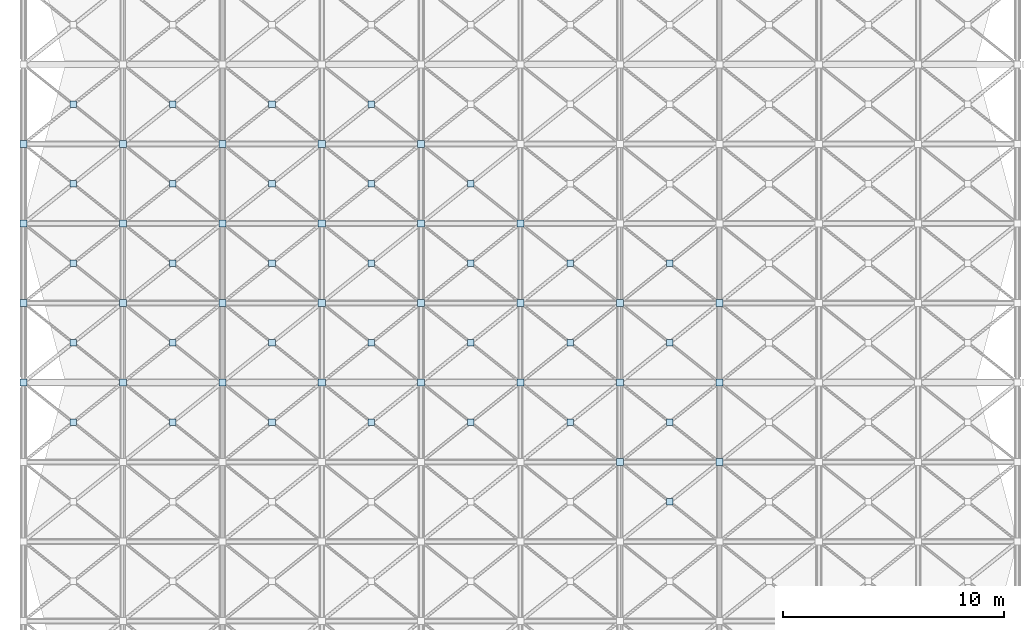
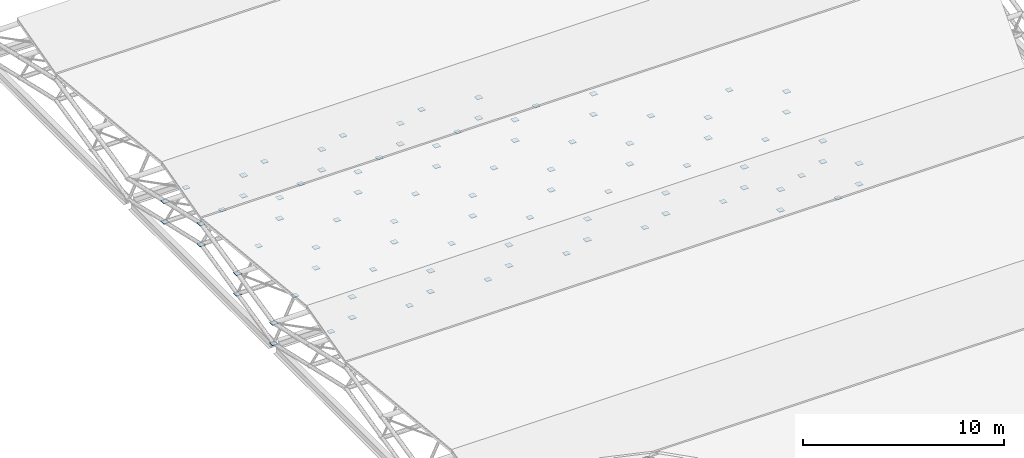
# One storey, part 77 of 110: 89 plates.
"""IFC4 building model written with IfcOpenShell, lengths in metres."""

from ifc_helpers import new_model, si_unit, direction, frame, origin, origin_2d, place, context, subcontext, project, spatial, rectangle, extrude, material, layer, layer_set, type_object, element, save


model = new_model("IFC4")

# Units and contexts
model_context = context("Model", 3, precision=1e-05, world=origin(), true_north=direction((0.0, 1.0)))
body_context = subcontext(model_context, "Body", "Model", "MODEL_VIEW")
ifc_project = project(units=[si_unit("LENGTHUNIT", "METRE"), si_unit("AREAUNIT", "SQUARE_METRE"), si_unit("VOLUMEUNIT", "CUBIC_METRE"), si_unit("PLANEANGLEUNIT", "RADIAN"), si_unit("MASSUNIT", "GRAM", prefix="KILO")], contexts=[model_context])

# Site, building, storey
site_placement = place(None, origin())
site = spatial("IfcSite", under=ifc_project, at=site_placement, CompositionType="ELEMENT")
building_placement = place(site_placement, origin())
building = spatial("IfcBuilding", under=site, at=building_placement, Name="Tamarisk Ironworks Central Station", CompositionType="ELEMENT")
storey_placement = place(building_placement, frame((0.0, 0.0, 17.39990234375)))
storey = spatial("IfcBuildingStorey", under=building, at=storey_placement, Name="L03", CompositionType="ELEMENT", Elevation=17.39990234375)

# Plates
ifc_material = material(Name="Structural steel S355J2H", Category="steel")
ifc_layer = layer(ifc_material, 0.02587890625)
ifc_layer_set = layer_set([ifc_layer], Name="Structural steel S355J2H")
plate_type = type_object("IfcPlateType", Name="PL-ND26", PredefinedType="SHEET", material=ifc_layer_set)
plate_1_placement = place(storey_placement, frame((2.25, 48.60009765625, -0.6953125), z_axis=(0.0, 0.0, 1.0), x_axis=(1.0, 0.0, 0.0)))
element("IfcPlate", 1, at=plate_1_placement, inside=storey, type_object=plate_type, Name="Space-frame X-brace crossing gusset plate 0139", PredefinedType="SHEET", context=body_context, shape_type="SweptSolid", body=[
    extrude(rectangle(XDim=0.300048828125, YDim=0.300048828125, at=origin_2d()), origin(), (0.0, 0.0, 1.0), 0.02587890625),
])
for number, where, z_axis, x_axis, name in (
    (2, (0.0, 50.39990234375, -0.48291015625), (0.0, 0.0, 1.0), (1.0, 0.0, 0.0), "Space-frame collector node plate 0142"),
    (3, (4.5, 50.39990234375, -0.48291015625), (0.0, 0.0, 1.0), (1.0, 0.0, 0.0), "Space-frame collector node plate 0143"),
):
    element("IfcPlate", number, at=place(storey_placement, frame(where, z_axis=z_axis, x_axis=x_axis)), inside=storey, type_object=plate_type, Name=name, PredefinedType="SHEET", context=body_context, shape_type="SweptSolid", body=[
        extrude(rectangle(XDim=0.320068359375, YDim=0.320068359375, at=origin_2d()), origin(), (0.0, 0.0, 1.0), 0.02587890625),
    ])
plate_2_placement = place(storey_placement, frame((6.75, 48.60009765625, -0.6953125), z_axis=(0.0, 0.0, 1.0), x_axis=(1.0, 0.0, 0.0)))
element("IfcPlate", 4, at=plate_2_placement, inside=storey, type_object=plate_type, Name="Space-frame X-brace crossing gusset plate 0153", PredefinedType="SHEET", context=body_context, shape_type="SweptSolid", body=[
    extrude(rectangle(XDim=0.300048828125, YDim=0.300048828125, at=origin_2d()), origin(), (0.0, 0.0, 1.0), 0.02587890625),
])
plate_3_placement = place(storey_placement, frame((9.0, 50.39990234375, -0.48291015625), z_axis=(0.0, 0.0, 1.0), x_axis=(1.0, 0.0, 0.0)))
element("IfcPlate", 5, at=plate_3_placement, inside=storey, type_object=plate_type, Name="Space-frame collector node plate 0155", PredefinedType="SHEET", context=body_context, shape_type="SweptSolid", body=[
    extrude(rectangle(XDim=0.320068359375, YDim=0.320068359375, at=origin_2d()), origin(), (0.0, 0.0, 1.0), 0.02587890625),
])
plate_4_placement = place(storey_placement, frame((11.25, 48.60009765625, -0.6953125), z_axis=(0.0, 0.0, 1.0), x_axis=(1.0, 0.0, 0.0)))
element("IfcPlate", 6, at=plate_4_placement, inside=storey, type_object=plate_type, Name="Space-frame X-brace crossing gusset plate 0165", PredefinedType="SHEET", context=body_context, shape_type="SweptSolid", body=[
    extrude(rectangle(XDim=0.300048828125, YDim=0.300048828125, at=origin_2d()), origin(), (0.0, 0.0, 1.0), 0.02587890625),
])
plate_5_placement = place(storey_placement, frame((13.5, 50.39990234375, -0.48291015625), z_axis=(0.0, 0.0, 1.0), x_axis=(1.0, 0.0, 0.0)))
element("IfcPlate", 7, at=plate_5_placement, inside=storey, type_object=plate_type, Name="Space-frame collector node plate 0167", PredefinedType="SHEET", context=body_context, shape_type="SweptSolid", body=[
    extrude(rectangle(XDim=0.320068359375, YDim=0.320068359375, at=origin_2d()), origin(), (0.0, 0.0, 1.0), 0.02587890625),
])
plate_6_placement = place(storey_placement, frame((15.75, 48.60009765625, -0.6953125), z_axis=(0.0, 0.0, 1.0), x_axis=(1.0, 0.0, 0.0)))
element("IfcPlate", 8, at=plate_6_placement, inside=storey, type_object=plate_type, Name="Space-frame X-brace crossing gusset plate 0177", PredefinedType="SHEET", context=body_context, shape_type="SweptSolid", body=[
    extrude(rectangle(XDim=0.300048828125, YDim=0.300048828125, at=origin_2d()), origin(), (0.0, 0.0, 1.0), 0.02587890625),
])
plate_7_placement = place(storey_placement, frame((18.0, 50.39990234375, -0.48291015625), z_axis=(0.0, 0.0, 1.0), x_axis=(1.0, 0.0, 0.0)))
element("IfcPlate", 9, at=plate_7_placement, inside=storey, type_object=plate_type, Name="Space-frame collector node plate 0179", PredefinedType="SHEET", context=body_context, shape_type="SweptSolid", body=[
    extrude(rectangle(XDim=0.320068359375, YDim=0.320068359375, at=origin_2d()), origin(), (0.0, 0.0, 1.0), 0.02587890625),
])
plate_8_placement = place(storey_placement, frame((20.25, 48.60009765625, -0.6953125), z_axis=(0.0, 0.0, 1.0), x_axis=(1.0, 0.0, 0.0)))
element("IfcPlate", 10, at=plate_8_placement, inside=storey, type_object=plate_type, Name="Space-frame X-brace crossing gusset plate 0189", PredefinedType="SHEET", context=body_context, shape_type="SweptSolid", body=[
    extrude(rectangle(XDim=0.300048828125, YDim=0.300048828125, at=origin_2d()), origin(), (0.0, 0.0, 1.0), 0.02587890625),
])
for number, where, z_axis, x_axis, name in (
    (11, (22.5, 50.39990234375, -0.48291015625), (0.0, 0.0, 1.0), (1.0, 0.0, 0.0), "Space-frame collector node plate 0191"),
    (12, (27.0, 46.800048828125, 0.342041015625), (0.0, 0.0, 1.0), (1.0, 0.0, 0.0), "Space-frame collector node plate 0200"),
):
    element("IfcPlate", number, at=place(storey_placement, frame(where, z_axis=z_axis, x_axis=x_axis)), inside=storey, type_object=plate_type, Name=name, PredefinedType="SHEET", context=body_context, shape_type="SweptSolid", body=[
        extrude(rectangle(XDim=0.320068359375, YDim=0.320068359375, at=origin_2d()), origin(), (0.0, 0.0, 1.0), 0.02587890625),
    ])
plate_9_placement = place(storey_placement, frame((24.75, 48.60009765625, -0.6953125), z_axis=(0.0, 0.0, 1.0), x_axis=(1.0, 0.0, 0.0)))
element("IfcPlate", 13, at=plate_9_placement, inside=storey, type_object=plate_type, Name="Space-frame X-brace crossing gusset plate 0201", PredefinedType="SHEET", context=body_context, shape_type="SweptSolid", body=[
    extrude(rectangle(XDim=0.300048828125, YDim=0.300048828125, at=origin_2d()), origin(), (0.0, 0.0, 1.0), 0.02587890625),
])
for number, where, z_axis, x_axis, name in (
    (14, (27.0, 46.800048828125, -0.907958984375), (0.0, 0.0, 1.0), (1.0, 0.0, 0.0), "Space-frame collector node plate 0202"),
    (15, (27.0, 50.39990234375, -0.48291015625), (0.0, 0.0, 1.0), (1.0, 0.0, 0.0), "Space-frame collector node plate 0203"),
):
    element("IfcPlate", number, at=place(storey_placement, frame(where, z_axis=z_axis, x_axis=x_axis)), inside=storey, type_object=plate_type, Name=name, PredefinedType="SHEET", context=body_context, shape_type="SweptSolid", body=[
        extrude(rectangle(XDim=0.320068359375, YDim=0.320068359375, at=origin_2d()), origin(), (0.0, 0.0, 1.0), 0.02587890625),
    ])
plate_10_placement = place(storey_placement, frame((29.25, 45.0, 0.129638671875), z_axis=(0.0, 0.0, 1.0), x_axis=(1.0, 0.0, 0.0)))
element("IfcPlate", 16, at=plate_10_placement, inside=storey, type_object=plate_type, Name="Space-frame X-brace crossing gusset plate 0210", PredefinedType="SHEET", context=body_context, shape_type="SweptSolid", body=[
    extrude(rectangle(XDim=0.300048828125, YDim=0.300048828125, at=origin_2d()), origin(), (0.0, 0.0, 1.0), 0.02587890625),
])
plate_11_placement = place(storey_placement, frame((31.5, 46.800048828125, 0.342041015625), z_axis=(0.0, 0.0, 1.0), x_axis=(1.0, 0.0, 0.0)))
element("IfcPlate", 17, at=plate_11_placement, inside=storey, type_object=plate_type, Name="Space-frame collector node plate 0212", PredefinedType="SHEET", context=body_context, shape_type="SweptSolid", body=[
    extrude(rectangle(XDim=0.320068359375, YDim=0.320068359375, at=origin_2d()), origin(), (0.0, 0.0, 1.0), 0.02587890625),
])
plate_12_placement = place(storey_placement, frame((29.25, 48.60009765625, -0.6953125), z_axis=(0.0, 0.0, 1.0), x_axis=(1.0, 0.0, 0.0)))
element("IfcPlate", 18, at=plate_12_placement, inside=storey, type_object=plate_type, Name="Space-frame X-brace crossing gusset plate 0213", PredefinedType="SHEET", context=body_context, shape_type="SweptSolid", body=[
    extrude(rectangle(XDim=0.300048828125, YDim=0.300048828125, at=origin_2d()), origin(), (0.0, 0.0, 1.0), 0.02587890625),
])
for number, where, z_axis, x_axis, name in (
    (19, (31.5, 46.800048828125, -0.907958984375), (0.0, 0.0, 1.0), (1.0, 0.0, 0.0), "Space-frame collector node plate 0214"),
    (20, (31.5, 50.39990234375, -0.48291015625), (0.0, 0.0, 1.0), (1.0, 0.0, 0.0), "Space-frame collector node plate 0215"),
):
    element("IfcPlate", number, at=place(storey_placement, frame(where, z_axis=z_axis, x_axis=x_axis)), inside=storey, type_object=plate_type, Name=name, PredefinedType="SHEET", context=body_context, shape_type="SweptSolid", body=[
        extrude(rectangle(XDim=0.320068359375, YDim=0.320068359375, at=origin_2d()), origin(), (0.0, 0.0, 1.0), 0.02587890625),
    ])
plate_13_placement = place(storey_placement, frame((2.25, 52.199951171875, -0.6953125), z_axis=(0.0, 0.0, 1.0), x_axis=(1.0, 0.0, 0.0)))
element("IfcPlate", 21, at=plate_13_placement, inside=storey, type_object=plate_type, Name="Space-frame X-brace crossing gusset plate 0252", PredefinedType="SHEET", context=body_context, shape_type="SweptSolid", body=[
    extrude(rectangle(XDim=0.300048828125, YDim=0.300048828125, at=origin_2d()), origin(), (0.0, 0.0, 1.0), 0.02587890625),
])
for number, where, z_axis, x_axis, name in (
    (22, (0.0, 50.39990234375, -1.73291015625), (0.0, 0.0, 1.0), (1.0, 0.0, 0.0), "Space-frame collector node plate 0253"),
    (23, (4.5, 50.39990234375, -1.73291015625), (0.0, 0.0, 1.0), (1.0, 0.0, 0.0), "Space-frame collector node plate 0254"),
    (24, (0.0, 54.0, 0.342041015625), (0.0, 0.0, 1.0), (1.0, 0.0, 0.0), "Space-frame collector node plate 0255"),
    (25, (4.5, 54.0, 0.342041015625), (0.0, 0.0, 1.0), (1.0, 0.0, 0.0), "Space-frame collector node plate 0256"),
):
    element("IfcPlate", number, at=place(storey_placement, frame(where, z_axis=z_axis, x_axis=x_axis)), inside=storey, type_object=plate_type, Name=name, PredefinedType="SHEET", context=body_context, shape_type="SweptSolid", body=[
        extrude(rectangle(XDim=0.320068359375, YDim=0.320068359375, at=origin_2d()), origin(), (0.0, 0.0, 1.0), 0.02587890625),
    ])
plate_14_placement = place(storey_placement, frame((2.25, 55.800048828125, 0.129638671875), z_axis=(0.0, 0.0, 1.0), x_axis=(1.0, 0.0, 0.0)))
element("IfcPlate", 26, at=plate_14_placement, inside=storey, type_object=plate_type, Name="Space-frame X-brace crossing gusset plate 0257", PredefinedType="SHEET", context=body_context, shape_type="SweptSolid", body=[
    extrude(rectangle(XDim=0.300048828125, YDim=0.300048828125, at=origin_2d()), origin(), (0.0, 0.0, 1.0), 0.02587890625),
])
for number, where, z_axis, x_axis, name in (
    (27, (0.0, 54.0, -0.907958984375), (0.0, 0.0, 1.0), (1.0, 0.0, 0.0), "Space-frame collector node plate 0258"),
    (28, (4.5, 54.0, -0.907958984375), (0.0, 0.0, 1.0), (1.0, 0.0, 0.0), "Space-frame collector node plate 0259"),
    (29, (0.0, 57.60009765625, 1.167236328125), (0.0, 0.0, 1.0), (1.0, 0.0, 0.0), "Space-frame collector node plate 0260"),
    (30, (4.5, 57.60009765625, 1.167236328125), (0.0, 0.0, 1.0), (1.0, 0.0, 0.0), "Space-frame collector node plate 0261"),
):
    element("IfcPlate", number, at=place(storey_placement, frame(where, z_axis=z_axis, x_axis=x_axis)), inside=storey, type_object=plate_type, Name=name, PredefinedType="SHEET", context=body_context, shape_type="SweptSolid", body=[
        extrude(rectangle(XDim=0.320068359375, YDim=0.320068359375, at=origin_2d()), origin(), (0.0, 0.0, 1.0), 0.02587890625),
    ])
plate_15_placement = place(storey_placement, frame((2.25, 59.39990234375, 0.129638671875), z_axis=(0.0, 0.0, 1.0), x_axis=(1.0, 0.0, 0.0)))
element("IfcPlate", 31, at=plate_15_placement, inside=storey, type_object=plate_type, Name="Space-frame X-brace crossing gusset plate 0262", PredefinedType="SHEET", context=body_context, shape_type="SweptSolid", body=[
    extrude(rectangle(XDim=0.300048828125, YDim=0.300048828125, at=origin_2d()), origin(), (0.0, 0.0, 1.0), 0.02587890625),
])
for number, where, z_axis, x_axis, name in (
    (32, (0.0, 57.60009765625, -0.082763671875), (0.0, 0.0, 1.0), (1.0, 0.0, 0.0), "Space-frame collector node plate 0263"),
    (33, (4.5, 57.60009765625, -0.082763671875), (0.0, 0.0, 1.0), (1.0, 0.0, 0.0), "Space-frame collector node plate 0264"),
    (34, (0.0, 61.199951171875, 0.342041015625), (0.0, 0.0, 1.0), (1.0, 0.0, 0.0), "Space-frame collector node plate 0265"),
    (35, (4.5, 61.199951171875, 0.342041015625), (0.0, 0.0, 1.0), (1.0, 0.0, 0.0), "Space-frame collector node plate 0266"),
):
    element("IfcPlate", number, at=place(storey_placement, frame(where, z_axis=z_axis, x_axis=x_axis)), inside=storey, type_object=plate_type, Name=name, PredefinedType="SHEET", context=body_context, shape_type="SweptSolid", body=[
        extrude(rectangle(XDim=0.320068359375, YDim=0.320068359375, at=origin_2d()), origin(), (0.0, 0.0, 1.0), 0.02587890625),
    ])
plate_16_placement = place(storey_placement, frame((2.25, 63.0, -0.6953125), z_axis=(0.0, 0.0, 1.0), x_axis=(1.0, 0.0, 0.0)))
element("IfcPlate", 36, at=plate_16_placement, inside=storey, type_object=plate_type, Name="Space-frame X-brace crossing gusset plate 0267", PredefinedType="SHEET", context=body_context, shape_type="SweptSolid", body=[
    extrude(rectangle(XDim=0.300048828125, YDim=0.300048828125, at=origin_2d()), origin(), (0.0, 0.0, 1.0), 0.02587890625),
])
for number, where, z_axis, x_axis, name in (
    (37, (0.0, 61.199951171875, -0.907958984375), (0.0, 0.0, 1.0), (1.0, 0.0, 0.0), "Space-frame collector node plate 0268"),
    (38, (4.5, 61.199951171875, -0.907958984375), (0.0, 0.0, 1.0), (1.0, 0.0, 0.0), "Space-frame collector node plate 0269"),
):
    element("IfcPlate", number, at=place(storey_placement, frame(where, z_axis=z_axis, x_axis=x_axis)), inside=storey, type_object=plate_type, Name=name, PredefinedType="SHEET", context=body_context, shape_type="SweptSolid", body=[
        extrude(rectangle(XDim=0.320068359375, YDim=0.320068359375, at=origin_2d()), origin(), (0.0, 0.0, 1.0), 0.02587890625),
    ])
plate_17_placement = place(storey_placement, frame((6.75, 52.199951171875, -0.6953125), z_axis=(0.0, 0.0, 1.0), x_axis=(1.0, 0.0, 0.0)))
element("IfcPlate", 39, at=plate_17_placement, inside=storey, type_object=plate_type, Name="Space-frame X-brace crossing gusset plate 0272", PredefinedType="SHEET", context=body_context, shape_type="SweptSolid", body=[
    extrude(rectangle(XDim=0.300048828125, YDim=0.300048828125, at=origin_2d()), origin(), (0.0, 0.0, 1.0), 0.02587890625),
])
for number, where, z_axis, x_axis, name in (
    (40, (9.0, 50.39990234375, -1.73291015625), (0.0, 0.0, 1.0), (1.0, 0.0, 0.0), "Space-frame collector node plate 0273"),
    (41, (9.0, 54.0, 0.342041015625), (0.0, 0.0, 1.0), (1.0, 0.0, 0.0), "Space-frame collector node plate 0274"),
):
    element("IfcPlate", number, at=place(storey_placement, frame(where, z_axis=z_axis, x_axis=x_axis)), inside=storey, type_object=plate_type, Name=name, PredefinedType="SHEET", context=body_context, shape_type="SweptSolid", body=[
        extrude(rectangle(XDim=0.320068359375, YDim=0.320068359375, at=origin_2d()), origin(), (0.0, 0.0, 1.0), 0.02587890625),
    ])
plate_18_placement = place(storey_placement, frame((6.75, 55.800048828125, 0.129638671875), z_axis=(0.0, 0.0, 1.0), x_axis=(1.0, 0.0, 0.0)))
element("IfcPlate", 42, at=plate_18_placement, inside=storey, type_object=plate_type, Name="Space-frame X-brace crossing gusset plate 0275", PredefinedType="SHEET", context=body_context, shape_type="SweptSolid", body=[
    extrude(rectangle(XDim=0.300048828125, YDim=0.300048828125, at=origin_2d()), origin(), (0.0, 0.0, 1.0), 0.02587890625),
])
for number, where, z_axis, x_axis, name in (
    (43, (9.0, 54.0, -0.907958984375), (0.0, 0.0, 1.0), (1.0, 0.0, 0.0), "Space-frame collector node plate 0276"),
    (44, (9.0, 57.60009765625, 1.167236328125), (0.0, 0.0, 1.0), (1.0, 0.0, 0.0), "Space-frame collector node plate 0277"),
):
    element("IfcPlate", number, at=place(storey_placement, frame(where, z_axis=z_axis, x_axis=x_axis)), inside=storey, type_object=plate_type, Name=name, PredefinedType="SHEET", context=body_context, shape_type="SweptSolid", body=[
        extrude(rectangle(XDim=0.320068359375, YDim=0.320068359375, at=origin_2d()), origin(), (0.0, 0.0, 1.0), 0.02587890625),
    ])
plate_19_placement = place(storey_placement, frame((6.75, 59.39990234375, 0.129638671875), z_axis=(0.0, 0.0, 1.0), x_axis=(1.0, 0.0, 0.0)))
element("IfcPlate", 45, at=plate_19_placement, inside=storey, type_object=plate_type, Name="Space-frame X-brace crossing gusset plate 0278", PredefinedType="SHEET", context=body_context, shape_type="SweptSolid", body=[
    extrude(rectangle(XDim=0.300048828125, YDim=0.300048828125, at=origin_2d()), origin(), (0.0, 0.0, 1.0), 0.02587890625),
])
for number, where, z_axis, x_axis, name in (
    (46, (9.0, 57.60009765625, -0.082763671875), (0.0, 0.0, 1.0), (1.0, 0.0, 0.0), "Space-frame collector node plate 0279"),
    (47, (9.0, 61.199951171875, 0.342041015625), (0.0, 0.0, 1.0), (1.0, 0.0, 0.0), "Space-frame collector node plate 0280"),
):
    element("IfcPlate", number, at=place(storey_placement, frame(where, z_axis=z_axis, x_axis=x_axis)), inside=storey, type_object=plate_type, Name=name, PredefinedType="SHEET", context=body_context, shape_type="SweptSolid", body=[
        extrude(rectangle(XDim=0.320068359375, YDim=0.320068359375, at=origin_2d()), origin(), (0.0, 0.0, 1.0), 0.02587890625),
    ])
plate_20_placement = place(storey_placement, frame((6.75, 63.0, -0.6953125), z_axis=(0.0, 0.0, 1.0), x_axis=(1.0, 0.0, 0.0)))
element("IfcPlate", 48, at=plate_20_placement, inside=storey, type_object=plate_type, Name="Space-frame X-brace crossing gusset plate 0281", PredefinedType="SHEET", context=body_context, shape_type="SweptSolid", body=[
    extrude(rectangle(XDim=0.300048828125, YDim=0.300048828125, at=origin_2d()), origin(), (0.0, 0.0, 1.0), 0.02587890625),
])
plate_21_placement = place(storey_placement, frame((9.0, 61.199951171875, -0.907958984375), z_axis=(0.0, 0.0, 1.0), x_axis=(1.0, 0.0, 0.0)))
element("IfcPlate", 49, at=plate_21_placement, inside=storey, type_object=plate_type, Name="Space-frame collector node plate 0282", PredefinedType="SHEET", context=body_context, shape_type="SweptSolid", body=[
    extrude(rectangle(XDim=0.320068359375, YDim=0.320068359375, at=origin_2d()), origin(), (0.0, 0.0, 1.0), 0.02587890625),
])
plate_22_placement = place(storey_placement, frame((11.25, 52.199951171875, -0.6953125), z_axis=(0.0, 0.0, 1.0), x_axis=(1.0, 0.0, 0.0)))
element("IfcPlate", 50, at=plate_22_placement, inside=storey, type_object=plate_type, Name="Space-frame X-brace crossing gusset plate 0284", PredefinedType="SHEET", context=body_context, shape_type="SweptSolid", body=[
    extrude(rectangle(XDim=0.300048828125, YDim=0.300048828125, at=origin_2d()), origin(), (0.0, 0.0, 1.0), 0.02587890625),
])
for number, where, z_axis, x_axis, name in (
    (51, (13.5, 50.39990234375, -1.73291015625), (0.0, 0.0, 1.0), (1.0, 0.0, 0.0), "Space-frame collector node plate 0285"),
    (52, (13.5, 54.0, 0.342041015625), (0.0, 0.0, 1.0), (1.0, 0.0, 0.0), "Space-frame collector node plate 0286"),
):
    element("IfcPlate", number, at=place(storey_placement, frame(where, z_axis=z_axis, x_axis=x_axis)), inside=storey, type_object=plate_type, Name=name, PredefinedType="SHEET", context=body_context, shape_type="SweptSolid", body=[
        extrude(rectangle(XDim=0.320068359375, YDim=0.320068359375, at=origin_2d()), origin(), (0.0, 0.0, 1.0), 0.02587890625),
    ])
plate_23_placement = place(storey_placement, frame((11.25, 55.800048828125, 0.129638671875), z_axis=(0.0, 0.0, 1.0), x_axis=(1.0, 0.0, 0.0)))
element("IfcPlate", 53, at=plate_23_placement, inside=storey, type_object=plate_type, Name="Space-frame X-brace crossing gusset plate 0287", PredefinedType="SHEET", context=body_context, shape_type="SweptSolid", body=[
    extrude(rectangle(XDim=0.300048828125, YDim=0.300048828125, at=origin_2d()), origin(), (0.0, 0.0, 1.0), 0.02587890625),
])
for number, where, z_axis, x_axis, name in (
    (54, (13.5, 54.0, -0.907958984375), (0.0, 0.0, 1.0), (1.0, 0.0, 0.0), "Space-frame collector node plate 0288"),
    (55, (13.5, 57.60009765625, 1.167236328125), (0.0, 0.0, 1.0), (1.0, 0.0, 0.0), "Space-frame collector node plate 0289"),
):
    element("IfcPlate", number, at=place(storey_placement, frame(where, z_axis=z_axis, x_axis=x_axis)), inside=storey, type_object=plate_type, Name=name, PredefinedType="SHEET", context=body_context, shape_type="SweptSolid", body=[
        extrude(rectangle(XDim=0.320068359375, YDim=0.320068359375, at=origin_2d()), origin(), (0.0, 0.0, 1.0), 0.02587890625),
    ])
plate_24_placement = place(storey_placement, frame((11.25, 59.39990234375, 0.129638671875), z_axis=(0.0, 0.0, 1.0), x_axis=(1.0, 0.0, 0.0)))
element("IfcPlate", 56, at=plate_24_placement, inside=storey, type_object=plate_type, Name="Space-frame X-brace crossing gusset plate 0290", PredefinedType="SHEET", context=body_context, shape_type="SweptSolid", body=[
    extrude(rectangle(XDim=0.300048828125, YDim=0.300048828125, at=origin_2d()), origin(), (0.0, 0.0, 1.0), 0.02587890625),
])
for number, where, z_axis, x_axis, name in (
    (57, (13.5, 57.60009765625, -0.082763671875), (0.0, 0.0, 1.0), (1.0, 0.0, 0.0), "Space-frame collector node plate 0291"),
    (58, (13.5, 61.199951171875, 0.342041015625), (0.0, 0.0, 1.0), (1.0, 0.0, 0.0), "Space-frame collector node plate 0292"),
):
    element("IfcPlate", number, at=place(storey_placement, frame(where, z_axis=z_axis, x_axis=x_axis)), inside=storey, type_object=plate_type, Name=name, PredefinedType="SHEET", context=body_context, shape_type="SweptSolid", body=[
        extrude(rectangle(XDim=0.320068359375, YDim=0.320068359375, at=origin_2d()), origin(), (0.0, 0.0, 1.0), 0.02587890625),
    ])
plate_25_placement = place(storey_placement, frame((11.25, 63.0, -0.6953125), z_axis=(0.0, 0.0, 1.0), x_axis=(1.0, 0.0, 0.0)))
element("IfcPlate", 59, at=plate_25_placement, inside=storey, type_object=plate_type, Name="Space-frame X-brace crossing gusset plate 0293", PredefinedType="SHEET", context=body_context, shape_type="SweptSolid", body=[
    extrude(rectangle(XDim=0.300048828125, YDim=0.300048828125, at=origin_2d()), origin(), (0.0, 0.0, 1.0), 0.02587890625),
])
plate_26_placement = place(storey_placement, frame((13.5, 61.199951171875, -0.907958984375), z_axis=(0.0, 0.0, 1.0), x_axis=(1.0, 0.0, 0.0)))
element("IfcPlate", 60, at=plate_26_placement, inside=storey, type_object=plate_type, Name="Space-frame collector node plate 0294", PredefinedType="SHEET", context=body_context, shape_type="SweptSolid", body=[
    extrude(rectangle(XDim=0.320068359375, YDim=0.320068359375, at=origin_2d()), origin(), (0.0, 0.0, 1.0), 0.02587890625),
])
plate_27_placement = place(storey_placement, frame((15.75, 52.199951171875, -0.6953125), z_axis=(0.0, 0.0, 1.0), x_axis=(1.0, 0.0, 0.0)))
element("IfcPlate", 61, at=plate_27_placement, inside=storey, type_object=plate_type, Name="Space-frame X-brace crossing gusset plate 0296", PredefinedType="SHEET", context=body_context, shape_type="SweptSolid", body=[
    extrude(rectangle(XDim=0.300048828125, YDim=0.300048828125, at=origin_2d()), origin(), (0.0, 0.0, 1.0), 0.02587890625),
])
for number, where, z_axis, x_axis, name in (
    (62, (18.0, 50.39990234375, -1.73291015625), (0.0, 0.0, 1.0), (1.0, 0.0, 0.0), "Space-frame collector node plate 0297"),
    (63, (18.0, 54.0, 0.342041015625), (0.0, 0.0, 1.0), (1.0, 0.0, 0.0), "Space-frame collector node plate 0298"),
):
    element("IfcPlate", number, at=place(storey_placement, frame(where, z_axis=z_axis, x_axis=x_axis)), inside=storey, type_object=plate_type, Name=name, PredefinedType="SHEET", context=body_context, shape_type="SweptSolid", body=[
        extrude(rectangle(XDim=0.320068359375, YDim=0.320068359375, at=origin_2d()), origin(), (0.0, 0.0, 1.0), 0.02587890625),
    ])
plate_28_placement = place(storey_placement, frame((15.75, 55.800048828125, 0.129638671875), z_axis=(0.0, 0.0, 1.0), x_axis=(1.0, 0.0, 0.0)))
element("IfcPlate", 64, at=plate_28_placement, inside=storey, type_object=plate_type, Name="Space-frame X-brace crossing gusset plate 0299", PredefinedType="SHEET", context=body_context, shape_type="SweptSolid", body=[
    extrude(rectangle(XDim=0.300048828125, YDim=0.300048828125, at=origin_2d()), origin(), (0.0, 0.0, 1.0), 0.02587890625),
])
for number, where, z_axis, x_axis, name in (
    (65, (18.0, 54.0, -0.907958984375), (0.0, 0.0, 1.0), (1.0, 0.0, 0.0), "Space-frame collector node plate 0300"),
    (66, (18.0, 57.60009765625, 1.167236328125), (0.0, 0.0, 1.0), (1.0, 0.0, 0.0), "Space-frame collector node plate 0301"),
):
    element("IfcPlate", number, at=place(storey_placement, frame(where, z_axis=z_axis, x_axis=x_axis)), inside=storey, type_object=plate_type, Name=name, PredefinedType="SHEET", context=body_context, shape_type="SweptSolid", body=[
        extrude(rectangle(XDim=0.320068359375, YDim=0.320068359375, at=origin_2d()), origin(), (0.0, 0.0, 1.0), 0.02587890625),
    ])
plate_29_placement = place(storey_placement, frame((15.75, 59.39990234375, 0.129638671875), z_axis=(0.0, 0.0, 1.0), x_axis=(1.0, 0.0, 0.0)))
element("IfcPlate", 67, at=plate_29_placement, inside=storey, type_object=plate_type, Name="Space-frame X-brace crossing gusset plate 0302", PredefinedType="SHEET", context=body_context, shape_type="SweptSolid", body=[
    extrude(rectangle(XDim=0.300048828125, YDim=0.300048828125, at=origin_2d()), origin(), (0.0, 0.0, 1.0), 0.02587890625),
])
for number, where, z_axis, x_axis, name in (
    (68, (18.0, 57.60009765625, -0.082763671875), (0.0, 0.0, 1.0), (1.0, 0.0, 0.0), "Space-frame collector node plate 0303"),
    (69, (18.0, 61.199951171875, 0.342041015625), (0.0, 0.0, 1.0), (1.0, 0.0, 0.0), "Space-frame collector node plate 0304"),
):
    element("IfcPlate", number, at=place(storey_placement, frame(where, z_axis=z_axis, x_axis=x_axis)), inside=storey, type_object=plate_type, Name=name, PredefinedType="SHEET", context=body_context, shape_type="SweptSolid", body=[
        extrude(rectangle(XDim=0.320068359375, YDim=0.320068359375, at=origin_2d()), origin(), (0.0, 0.0, 1.0), 0.02587890625),
    ])
plate_30_placement = place(storey_placement, frame((15.75, 63.0, -0.6953125), z_axis=(0.0, 0.0, 1.0), x_axis=(1.0, 0.0, 0.0)))
element("IfcPlate", 70, at=plate_30_placement, inside=storey, type_object=plate_type, Name="Space-frame X-brace crossing gusset plate 0305", PredefinedType="SHEET", context=body_context, shape_type="SweptSolid", body=[
    extrude(rectangle(XDim=0.300048828125, YDim=0.300048828125, at=origin_2d()), origin(), (0.0, 0.0, 1.0), 0.02587890625),
])
plate_31_placement = place(storey_placement, frame((18.0, 61.199951171875, -0.907958984375), z_axis=(0.0, 0.0, 1.0), x_axis=(1.0, 0.0, 0.0)))
element("IfcPlate", 71, at=plate_31_placement, inside=storey, type_object=plate_type, Name="Space-frame collector node plate 0306", PredefinedType="SHEET", context=body_context, shape_type="SweptSolid", body=[
    extrude(rectangle(XDim=0.320068359375, YDim=0.320068359375, at=origin_2d()), origin(), (0.0, 0.0, 1.0), 0.02587890625),
])
plate_32_placement = place(storey_placement, frame((20.25, 52.199951171875, -0.6953125), z_axis=(0.0, 0.0, 1.0), x_axis=(1.0, 0.0, 0.0)))
element("IfcPlate", 72, at=plate_32_placement, inside=storey, type_object=plate_type, Name="Space-frame X-brace crossing gusset plate 0308", PredefinedType="SHEET", context=body_context, shape_type="SweptSolid", body=[
    extrude(rectangle(XDim=0.300048828125, YDim=0.300048828125, at=origin_2d()), origin(), (0.0, 0.0, 1.0), 0.02587890625),
])
for number, where, z_axis, x_axis, name in (
    (73, (22.5, 50.39990234375, -1.73291015625), (0.0, 0.0, 1.0), (1.0, 0.0, 0.0), "Space-frame collector node plate 0309"),
    (74, (22.5, 54.0, 0.342041015625), (0.0, 0.0, 1.0), (1.0, 0.0, 0.0), "Space-frame collector node plate 0310"),
):
    element("IfcPlate", number, at=place(storey_placement, frame(where, z_axis=z_axis, x_axis=x_axis)), inside=storey, type_object=plate_type, Name=name, PredefinedType="SHEET", context=body_context, shape_type="SweptSolid", body=[
        extrude(rectangle(XDim=0.320068359375, YDim=0.320068359375, at=origin_2d()), origin(), (0.0, 0.0, 1.0), 0.02587890625),
    ])
plate_33_placement = place(storey_placement, frame((20.25, 55.800048828125, 0.129638671875), z_axis=(0.0, 0.0, 1.0), x_axis=(1.0, 0.0, 0.0)))
element("IfcPlate", 75, at=plate_33_placement, inside=storey, type_object=plate_type, Name="Space-frame X-brace crossing gusset plate 0311", PredefinedType="SHEET", context=body_context, shape_type="SweptSolid", body=[
    extrude(rectangle(XDim=0.300048828125, YDim=0.300048828125, at=origin_2d()), origin(), (0.0, 0.0, 1.0), 0.02587890625),
])
for number, where, z_axis, x_axis, name in (
    (76, (22.5, 54.0, -0.907958984375), (0.0, 0.0, 1.0), (1.0, 0.0, 0.0), "Space-frame collector node plate 0312"),
    (77, (22.5, 57.60009765625, 1.167236328125), (0.0, 0.0, 1.0), (1.0, 0.0, 0.0), "Space-frame collector node plate 0313"),
):
    element("IfcPlate", number, at=place(storey_placement, frame(where, z_axis=z_axis, x_axis=x_axis)), inside=storey, type_object=plate_type, Name=name, PredefinedType="SHEET", context=body_context, shape_type="SweptSolid", body=[
        extrude(rectangle(XDim=0.320068359375, YDim=0.320068359375, at=origin_2d()), origin(), (0.0, 0.0, 1.0), 0.02587890625),
    ])
plate_34_placement = place(storey_placement, frame((20.25, 59.39990234375, 0.129638671875), z_axis=(0.0, 0.0, 1.0), x_axis=(1.0, 0.0, 0.0)))
element("IfcPlate", 78, at=plate_34_placement, inside=storey, type_object=plate_type, Name="Space-frame X-brace crossing gusset plate 0314", PredefinedType="SHEET", context=body_context, shape_type="SweptSolid", body=[
    extrude(rectangle(XDim=0.300048828125, YDim=0.300048828125, at=origin_2d()), origin(), (0.0, 0.0, 1.0), 0.02587890625),
])
plate_35_placement = place(storey_placement, frame((22.5, 57.60009765625, -0.082763671875), z_axis=(0.0, 0.0, 1.0), x_axis=(1.0, 0.0, 0.0)))
element("IfcPlate", 79, at=plate_35_placement, inside=storey, type_object=plate_type, Name="Space-frame collector node plate 0315", PredefinedType="SHEET", context=body_context, shape_type="SweptSolid", body=[
    extrude(rectangle(XDim=0.320068359375, YDim=0.320068359375, at=origin_2d()), origin(), (0.0, 0.0, 1.0), 0.02587890625),
])
plate_36_placement = place(storey_placement, frame((24.75, 52.199951171875, -0.6953125), z_axis=(0.0, 0.0, 1.0), x_axis=(1.0, 0.0, 0.0)))
element("IfcPlate", 80, at=plate_36_placement, inside=storey, type_object=plate_type, Name="Space-frame X-brace crossing gusset plate 0320", PredefinedType="SHEET", context=body_context, shape_type="SweptSolid", body=[
    extrude(rectangle(XDim=0.300048828125, YDim=0.300048828125, at=origin_2d()), origin(), (0.0, 0.0, 1.0), 0.02587890625),
])
for number, where, z_axis, x_axis, name in (
    (81, (27.0, 50.39990234375, -1.73291015625), (0.0, 0.0, 1.0), (1.0, 0.0, 0.0), "Space-frame collector node plate 0321"),
    (82, (27.0, 54.0, 0.342041015625), (0.0, 0.0, 1.0), (1.0, 0.0, 0.0), "Space-frame collector node plate 0322"),
):
    element("IfcPlate", number, at=place(storey_placement, frame(where, z_axis=z_axis, x_axis=x_axis)), inside=storey, type_object=plate_type, Name=name, PredefinedType="SHEET", context=body_context, shape_type="SweptSolid", body=[
        extrude(rectangle(XDim=0.320068359375, YDim=0.320068359375, at=origin_2d()), origin(), (0.0, 0.0, 1.0), 0.02587890625),
    ])
plate_37_placement = place(storey_placement, frame((24.75, 55.800048828125, 0.129638671875), z_axis=(0.0, 0.0, 1.0), x_axis=(1.0, 0.0, 0.0)))
element("IfcPlate", 83, at=plate_37_placement, inside=storey, type_object=plate_type, Name="Space-frame X-brace crossing gusset plate 0323", PredefinedType="SHEET", context=body_context, shape_type="SweptSolid", body=[
    extrude(rectangle(XDim=0.300048828125, YDim=0.300048828125, at=origin_2d()), origin(), (0.0, 0.0, 1.0), 0.02587890625),
])
plate_38_placement = place(storey_placement, frame((27.0, 54.0, -0.907958984375), z_axis=(0.0, 0.0, 1.0), x_axis=(1.0, 0.0, 0.0)))
element("IfcPlate", 84, at=plate_38_placement, inside=storey, type_object=plate_type, Name="Space-frame collector node plate 0324", PredefinedType="SHEET", context=body_context, shape_type="SweptSolid", body=[
    extrude(rectangle(XDim=0.320068359375, YDim=0.320068359375, at=origin_2d()), origin(), (0.0, 0.0, 1.0), 0.02587890625),
])
plate_39_placement = place(storey_placement, frame((29.25, 52.199951171875, -0.6953125), z_axis=(0.0, 0.0, 1.0), x_axis=(1.0, 0.0, 0.0)))
element("IfcPlate", 85, at=plate_39_placement, inside=storey, type_object=plate_type, Name="Space-frame X-brace crossing gusset plate 0332", PredefinedType="SHEET", context=body_context, shape_type="SweptSolid", body=[
    extrude(rectangle(XDim=0.300048828125, YDim=0.300048828125, at=origin_2d()), origin(), (0.0, 0.0, 1.0), 0.02587890625),
])
for number, where, z_axis, x_axis, name in (
    (86, (31.5, 50.39990234375, -1.73291015625), (0.0, 0.0, 1.0), (1.0, 0.0, 0.0), "Space-frame collector node plate 0333"),
    (87, (31.5, 54.0, 0.342041015625), (0.0, 0.0, 1.0), (1.0, 0.0, 0.0), "Space-frame collector node plate 0334"),
):
    element("IfcPlate", number, at=place(storey_placement, frame(where, z_axis=z_axis, x_axis=x_axis)), inside=storey, type_object=plate_type, Name=name, PredefinedType="SHEET", context=body_context, shape_type="SweptSolid", body=[
        extrude(rectangle(XDim=0.320068359375, YDim=0.320068359375, at=origin_2d()), origin(), (0.0, 0.0, 1.0), 0.02587890625),
    ])
plate_40_placement = place(storey_placement, frame((29.25, 55.800048828125, 0.129638671875), z_axis=(0.0, 0.0, 1.0), x_axis=(1.0, 0.0, 0.0)))
element("IfcPlate", 88, at=plate_40_placement, inside=storey, type_object=plate_type, Name="Space-frame X-brace crossing gusset plate 0335", PredefinedType="SHEET", context=body_context, shape_type="SweptSolid", body=[
    extrude(rectangle(XDim=0.300048828125, YDim=0.300048828125, at=origin_2d()), origin(), (0.0, 0.0, 1.0), 0.02587890625),
])
plate_41_placement = place(storey_placement, frame((31.5, 54.0, -0.907958984375), z_axis=(0.0, 0.0, 1.0), x_axis=(1.0, 0.0, 0.0)))
element("IfcPlate", 89, at=plate_41_placement, inside=storey, type_object=plate_type, Name="Space-frame collector node plate 0336", PredefinedType="SHEET", context=body_context, shape_type="SweptSolid", body=[
    extrude(rectangle(XDim=0.320068359375, YDim=0.320068359375, at=origin_2d()), origin(), (0.0, 0.0, 1.0), 0.02587890625),
])

save(model, "model.ifc")
